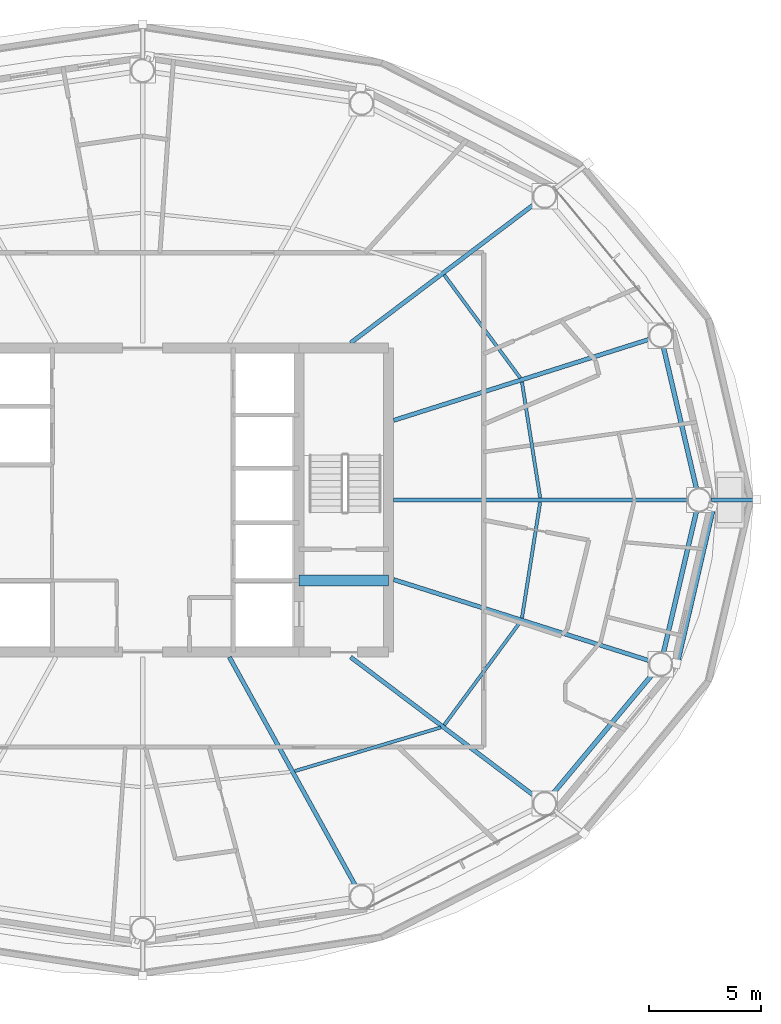
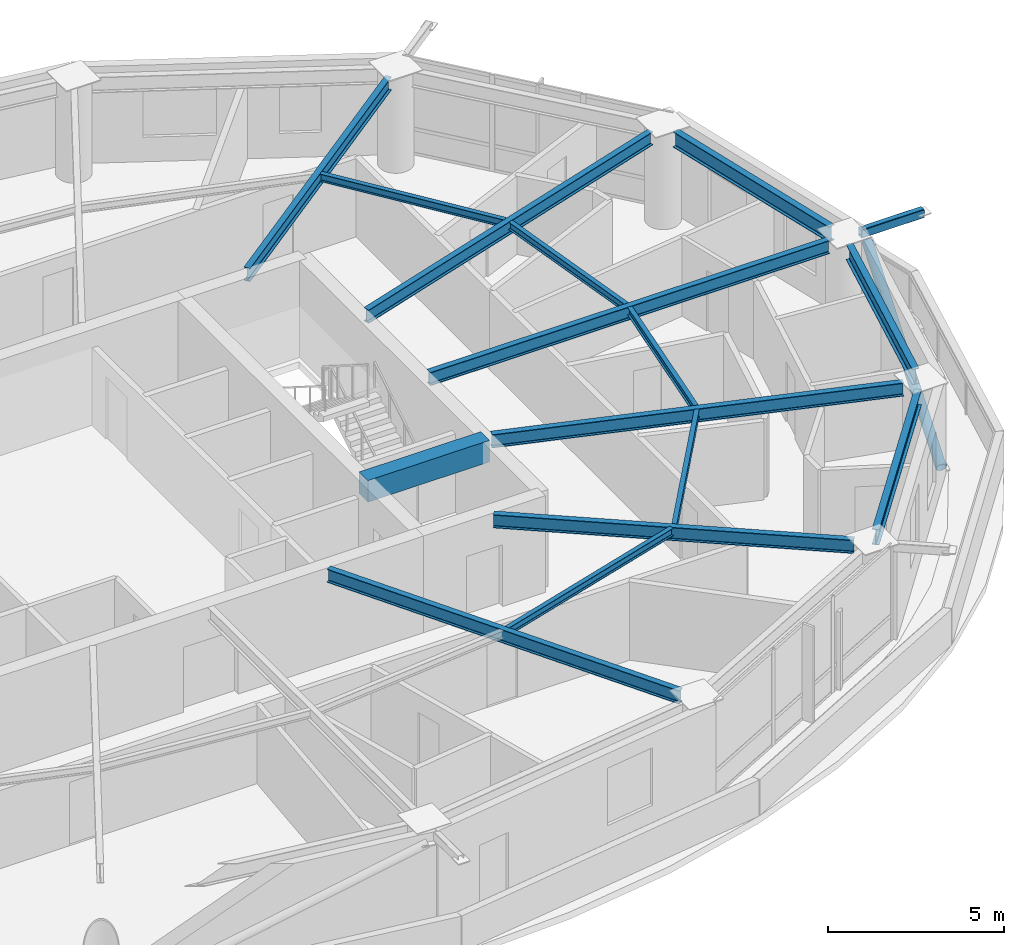
# One storey, part 6 of 22: 15 beams, 2 members.
"""IFC4 building model written with IfcOpenShell, lengths in metres."""

from ifc_helpers import new_model, si_unit, direction, frame, origin, origin_2d, place, context, subcontext, project, spatial, rectangle, hollow_rectangle, hollow_circle, i_section, extrude, material, material_profile, profile_set, type_object, element, save


model = new_model("IFC4")

# Units and contexts
model_context = context("Model", 3, precision=1e-05, world=origin(), true_north=direction((0.0, 1.0)))
body_context = subcontext(model_context, "Body", "Model", "MODEL_VIEW")
ifc_project = project(units=[si_unit("LENGTHUNIT", "METRE"), si_unit("AREAUNIT", "SQUARE_METRE"), si_unit("VOLUMEUNIT", "CUBIC_METRE"), si_unit("PLANEANGLEUNIT", "RADIAN"), si_unit("MASSUNIT", "GRAM", prefix="KILO")], contexts=[model_context])

# Site, building, storey
site_placement = place(None, origin())
site = spatial("IfcSite", under=ifc_project, at=site_placement, CompositionType="ELEMENT")
building_placement = place(site_placement, origin())
building = spatial("IfcBuilding", under=site, at=building_placement, Name="Sarneth Arch Tower", CompositionType="ELEMENT")
storey_placement = place(building_placement, frame((0.0, 0.0, 206.39990234375)))
storey = spatial("IfcBuildingStorey", under=building, at=storey_placement, Name="L52", CompositionType="ELEMENT", Elevation=206.39990234375)

# Beams
ifc_material_1 = material(Name="Steel S355", Category="steel")
ifc_material_profile_1 = material_profile(ifc_material_1, i_section(OverallWidth=0.14794921875, OverallDepth=0.26611328125, WebThickness=0.007568359375, FlangeThickness=0.012939453125, FilletRadius=0.012939453125, at=origin_2d()), Name="W250x44.8")
ifc_profile_set_1 = profile_set([ifc_material_profile_1], Name="Steel S355")
beam_type_1 = type_object("IfcBeamType", Name="BM-JOIST-250", PredefinedType="JOIST", material=ifc_profile_set_1)
beam_1_placement = place(storey_placement, frame((65.776611328125, 42.0947265625, 3.22705078125), z_axis=(-0.155272204812, 0.987871723663, 0.0), x_axis=(-0.987871723663, -0.155272204812, 0.0)))
element("IfcBeam", 1, at=beam_1_placement, inside=storey, type_object=beam_type_1, Name="L52 Secondary floor joist 01", PredefinedType="JOIST", context=body_context, shape_type="SweptSolid", body=[
    extrude(i_section(OverallWidth=0.14794921875, OverallDepth=0.26611328125, WebThickness=0.007568359375, FlangeThickness=0.012939453125, FilletRadius=0.012939453125, at=origin_2d()), origin(), (0.0, 0.0, 1.0), 5.24853515625),
])
beam_2_placement = place(storey_placement, frame((64.8896484375, 47.45166015625, 3.22705078125), z_axis=(-0.593720370701, 0.804671436932, 0.0), x_axis=(-0.804671436932, -0.593720370701, 0.0)))
element("IfcBeam", 2, at=beam_2_placement, inside=storey, type_object=beam_type_1, Name="L52 Secondary floor joist 02", PredefinedType="JOIST", context=body_context, shape_type="SweptSolid", body=[
    extrude(i_section(OverallWidth=0.14794921875, OverallDepth=0.26611328125, WebThickness=0.007568359375, FlangeThickness=0.012939453125, FilletRadius=0.012939453125, at=origin_2d()), origin(), (0.0, 0.0, 1.0), 5.7333984375),
])
beam_3_placement = place(storey_placement, frame((54.79931640625, 29.87548828125, 3.22705078125), z_axis=(0.958092748216, 0.286458174636, 0.0), x_axis=(-0.286458174636, 0.958092748216, 0.0)))
element("IfcBeam", 3, at=beam_3_placement, inside=storey, type_object=beam_type_1, Name="L52 Secondary floor joist 14", PredefinedType="JOIST", context=body_context, shape_type="SweptSolid", body=[
    extrude(i_section(OverallWidth=0.14794921875, OverallDepth=0.26611328125, WebThickness=0.007568359375, FlangeThickness=0.012939453125, FilletRadius=0.012939453125, at=origin_2d()), origin(), (0.0, 0.0, 1.0), 6.8232421875),
])
beam_4_placement = place(storey_placement, frame((61.485595703125, 31.934814453125, 3.22705078125), z_axis=(0.593720370701, 0.804671436932, 0.0), x_axis=(-0.804671436932, 0.593720370701, 0.0)))
element("IfcBeam", 4, at=beam_4_placement, inside=storey, type_object=beam_type_1, Name="L52 Secondary floor joist 15", PredefinedType="JOIST", context=body_context, shape_type="SweptSolid", body=[
    extrude(i_section(OverallWidth=0.14794921875, OverallDepth=0.26611328125, WebThickness=0.007568359375, FlangeThickness=0.012939453125, FilletRadius=0.012939453125, at=origin_2d()), origin(), (0.0, 0.0, 1.0), 5.7333984375),
])
beam_5_placement = place(storey_placement, frame((64.961669921875, 36.720458984375, 3.22705078125), z_axis=(0.155272204812, 0.987871723663, 0.0), x_axis=(-0.987871723663, 0.155272204812, 0.0)))
element("IfcBeam", 5, at=beam_5_placement, inside=storey, type_object=beam_type_1, Name="L52 Secondary floor joist 16", PredefinedType="JOIST", context=body_context, shape_type="SweptSolid", body=[
    extrude(i_section(OverallWidth=0.14794921875, OverallDepth=0.26611328125, WebThickness=0.007568359375, FlangeThickness=0.012939453125, FilletRadius=0.012939453125, at=origin_2d()), origin(), (0.0, 0.0, 1.0), 5.24853515625),
])
ifc_material_2 = material(Name="Concrete C50/60", Category="concrete")
ifc_material_profile_2 = material_profile(ifc_material_2, rectangle(XDim=0.5, YDim=0.75, at=origin_2d()), Name="RC-500x750")
ifc_profile_set_2 = profile_set([ifc_material_profile_2], Name="Concrete C50/60")
beam_type_2 = type_object("IfcBeamType", Name="BM-LINTEL-RC", PredefinedType="LINTEL", material=ifc_profile_set_2)
beam_6_placement = place(storey_placement, frame((55.0, 38.39990234375, 2.985107421875), z_axis=(1.0, 0.0, 0.0), x_axis=(0.0, 1.0, 0.0)))
element("IfcBeam", 6, at=beam_6_placement, inside=storey, type_object=beam_type_2, Name="L52 Core coupling lintel E", PredefinedType="LINTEL", context=body_context, shape_type="SweptSolid", body=[
    extrude(rectangle(XDim=0.5, YDim=0.75, at=origin_2d()), origin(), (0.0, 0.0, 1.0), 4.0),
])
ifc_material_3 = material(Name="Steel S355", Category="steel")
ifc_material_profile_3 = material_profile(ifc_material_3, i_section(OverallWidth=0.19189453125, OverallDepth=0.462890625, WebThickness=0.010498046875, FlangeThickness=0.017578125, FilletRadius=0.01806640625, at=origin_2d()), Name="W460x89")
ifc_profile_set_3 = profile_set([ifc_material_profile_3], Name="Steel S355")
beam_type_3 = type_object("IfcBeamType", Name="BM-RAD-460B", PredefinedType="BEAM", material=ifc_profile_set_3)
beam_7_placement = place(storey_placement, frame((59.22509765625, 42.0, 3.128662109375), z_axis=(1.0, 0.0, 0.0), x_axis=(0.0, 1.0, 0.0)))
element("IfcBeam", 7, at=beam_7_placement, inside=storey, type_object=beam_type_3, Name="L52 Radial floor girder 01", PredefinedType="BEAM", context=body_context, shape_type="SweptSolid", body=[
    extrude(i_section(OverallWidth=0.19189453125, OverallDepth=0.462890625, WebThickness=0.010498046875, FlangeThickness=0.017578125, FilletRadius=0.01806640625, at=origin_2d()), origin(), (0.0, 0.0, 1.0), 13.133056640625),
])
beam_8_placement = place(storey_placement, frame((59.22509765625, 45.559814453125, 3.128662109375), z_axis=(0.953218061148, 0.302283522378, 0.0), x_axis=(-0.302283522378, 0.953218061148, 0.0)))
element("IfcBeam", 8, at=beam_8_placement, inside=storey, type_object=beam_type_3, Name="L52 Radial floor girder 02", PredefinedType="BEAM", context=body_context, shape_type="SweptSolid", body=[
    extrude(i_section(OverallWidth=0.19189453125, OverallDepth=0.462890625, WebThickness=0.010498046875, FlangeThickness=0.017578125, FilletRadius=0.01806640625, at=origin_2d()), origin(), (0.0, 0.0, 1.0), 12.0048828125),
])
beam_9_placement = place(storey_placement, frame((57.301025390625, 49.02490234375, 3.128662109375), z_axis=(0.797973502924, 0.602692532418, 0.0), x_axis=(-0.602692532418, 0.797973502924, 0.0)))
element("IfcBeam", 9, at=beam_9_placement, inside=storey, type_object=beam_type_3, Name="L52 Radial floor girder 03", PredefinedType="BEAM", context=body_context, shape_type="SweptSolid", body=[
    extrude(i_section(OverallWidth=0.19189453125, OverallDepth=0.462890625, WebThickness=0.010498046875, FlangeThickness=0.017578125, FilletRadius=0.01806640625, at=origin_2d()), origin(), (0.0, 0.0, 1.0), 10.345458984375),
])
beam_10_placement = place(storey_placement, frame((51.87744140625, 34.97509765625, 3.128662109375), z_axis=(0.483230528767, -0.875493150212, 0.0), x_axis=(0.875493150212, 0.483230528767, 0.0)))
element("IfcBeam", 10, at=beam_10_placement, inside=storey, type_object=beam_type_3, Name="L52 Radial floor girder 14", PredefinedType="BEAM", context=body_context, shape_type="SweptSolid", body=[
    extrude(i_section(OverallWidth=0.19189453125, OverallDepth=0.462890625, WebThickness=0.010498046875, FlangeThickness=0.017578125, FilletRadius=0.01806640625, at=origin_2d()), origin(), (0.0, 0.0, 1.0), 11.712158203125),
])
beam_11_placement = place(storey_placement, frame((57.301025390625, 34.97509765625, 3.128662109375), z_axis=(0.797973502924, -0.602692532418, 0.0), x_axis=(0.602692532418, 0.797973502924, 0.0)))
element("IfcBeam", 11, at=beam_11_placement, inside=storey, type_object=beam_type_3, Name="L52 Radial floor girder 15", PredefinedType="BEAM", context=body_context, shape_type="SweptSolid", body=[
    extrude(i_section(OverallWidth=0.19189453125, OverallDepth=0.462890625, WebThickness=0.010498046875, FlangeThickness=0.017578125, FilletRadius=0.01806640625, at=origin_2d()), origin(), (0.0, 0.0, 1.0), 10.345458984375),
])
beam_12_placement = place(storey_placement, frame((59.22509765625, 38.440185546875, 3.128662109375), z_axis=(0.953218061148, -0.302283522378, 0.0), x_axis=(0.302283522378, 0.953218061148, 0.0)))
element("IfcBeam", 12, at=beam_12_placement, inside=storey, type_object=beam_type_3, Name="L52 Radial floor girder 16", PredefinedType="BEAM", context=body_context, shape_type="SweptSolid", body=[
    extrude(i_section(OverallWidth=0.19189453125, OverallDepth=0.462890625, WebThickness=0.010498046875, FlangeThickness=0.017578125, FilletRadius=0.01806640625, at=origin_2d()), origin(), (0.0, 0.0, 1.0), 12.0048828125),
])
ifc_material_4 = material(Name="Steel S355", Category="steel")
ifc_material_profile_4 = material_profile(ifc_material_4, i_section(OverallWidth=0.2109375, OverallDepth=0.5390625, WebThickness=0.01171875, FlangeThickness=0.018798828125, FilletRadius=0.01806640625, at=origin_2d()), Name="W530x109")
ifc_profile_set_4 = profile_set([ifc_material_profile_4], Name="Steel S355")
beam_type_4 = type_object("IfcBeamType", Name="BM-RAD-530B", PredefinedType="BEAM", material=ifc_profile_set_4)
beam_13_placement = place(storey_placement, frame((72.763916015625, 42.51123046875, 3.090576171875), z_axis=(-0.227230803906, 0.973840932471, 0.0), x_axis=(-0.973840932471, -0.227230803906, 0.0)))
element("IfcBeam", 13, at=beam_13_placement, inside=storey, type_object=beam_type_4, Name="L52 Perimeter spandrel beam 01", PredefinedType="BEAM", context=body_context, shape_type="SweptSolid", body=[
    extrude(i_section(OverallWidth=0.2109375, OverallDepth=0.5390625, WebThickness=0.01171875, FlangeThickness=0.018798828125, FilletRadius=0.01806640625, at=origin_2d()), origin(), (0.0, 0.0, 1.0), 6.494873046875),
])
beam_14_placement = place(storey_placement, frame((66.3115234375, 28.82666015625, 3.090576171875), z_axis=(0.640364654985, 0.76807103099, 0.0), x_axis=(-0.76807103099, 0.640364654985, 0.0)))
element("IfcBeam", 14, at=beam_14_placement, inside=storey, type_object=beam_type_4, Name="L52 Perimeter spandrel beam 15", PredefinedType="BEAM", context=body_context, shape_type="SweptSolid", body=[
    extrude(i_section(OverallWidth=0.2109375, OverallDepth=0.5390625, WebThickness=0.01171875, FlangeThickness=0.018798828125, FilletRadius=0.01806640625, at=origin_2d()), origin(), (0.0, 0.0, 1.0), 7.06005859375),
])
beam_15_placement = place(storey_placement, frame((71.2880859375, 35.163818359375, 3.090576171875), z_axis=(0.227230803906, 0.973840932471, 0.0), x_axis=(-0.973840932471, 0.227230803906, 0.0)))
element("IfcBeam", 15, at=beam_15_placement, inside=storey, type_object=beam_type_4, Name="L52 Perimeter spandrel beam 16", PredefinedType="BEAM", context=body_context, shape_type="SweptSolid", body=[
    extrude(i_section(OverallWidth=0.2109375, OverallDepth=0.5390625, WebThickness=0.01171875, FlangeThickness=0.018798828125, FilletRadius=0.01806640625, at=origin_2d()), origin(), (0.0, 0.0, 1.0), 6.494873046875),
])

# Members
ifc_material_5 = material(Name="Steel S355", Category="steel")
ifc_material_profile_5 = material_profile(ifc_material_5, hollow_rectangle(XDim=0.199951171875, YDim=0.300048828125, WallThickness=0.012451171875, InnerFilletRadius=0.018798828125, OuterFilletRadius=0.03125, at=origin_2d()), Name="RHS300x200x12.5")
ifc_profile_set_5 = profile_set([ifc_material_profile_5], Name="Steel S355")
member_type_1 = type_object("IfcMemberType", Name="MEM-CANT-STRUT", PredefinedType="STRUT", material=ifc_profile_set_5)
member_1_placement = place(storey_placement, frame((73.408203125, 42.0, 3.2001953125), z_axis=(1.0, 0.0, 0.0), x_axis=(0.0, 1.0, 0.0)))
element("IfcMember", 16, at=member_1_placement, inside=storey, type_object=member_type_1, Name="L52 Balcony cantilever bracket 01", PredefinedType="STRUT", context=body_context, shape_type="SweptSolid", body=[
    extrude(hollow_rectangle(XDim=0.199951171875, YDim=0.300048828125, WallThickness=0.012451171875, InnerFilletRadius=0.018798828125, OuterFilletRadius=0.03125, at=origin_2d()), origin(), (0.0, 0.0, 1.0), 2.05126953125),
])
ifc_material_6 = material(Name="Steel S355", Category="steel")
ifc_material_profile_6 = material_profile(ifc_material_6, hollow_circle(Radius=0.162109375, WallThickness=0.012451171875, at=origin_2d()), Name="CHS324x12.5")
ifc_profile_set_6 = profile_set([ifc_material_profile_6], Name="Steel S355")
member_type_2 = type_object("IfcMemberType", Name="MEM-DIAG-BR3", PredefinedType="BRACE", material=ifc_profile_set_6)
member_2_placement = place(storey_placement, frame((71.851806640625, 34.6845703125, 0.02001953125), z_axis=(0.207917989892, 0.898749333617, 0.386030756289), x_axis=(-0.974268900284, 0.225388797281, 0.0)))
element("IfcMember", 17, at=member_2_placement, inside=storey, type_object=member_type_2, Name="L52 Perimeter frame diagonal 16", PredefinedType="BRACE", context=body_context, shape_type="SweptSolid", body=[
    extrude(hollow_circle(Radius=0.162109375, WallThickness=0.012451171875, at=origin_2d()), origin(), (0.0, 0.0, 1.0), 7.814453125),
])

save(model, "model.ifc")
